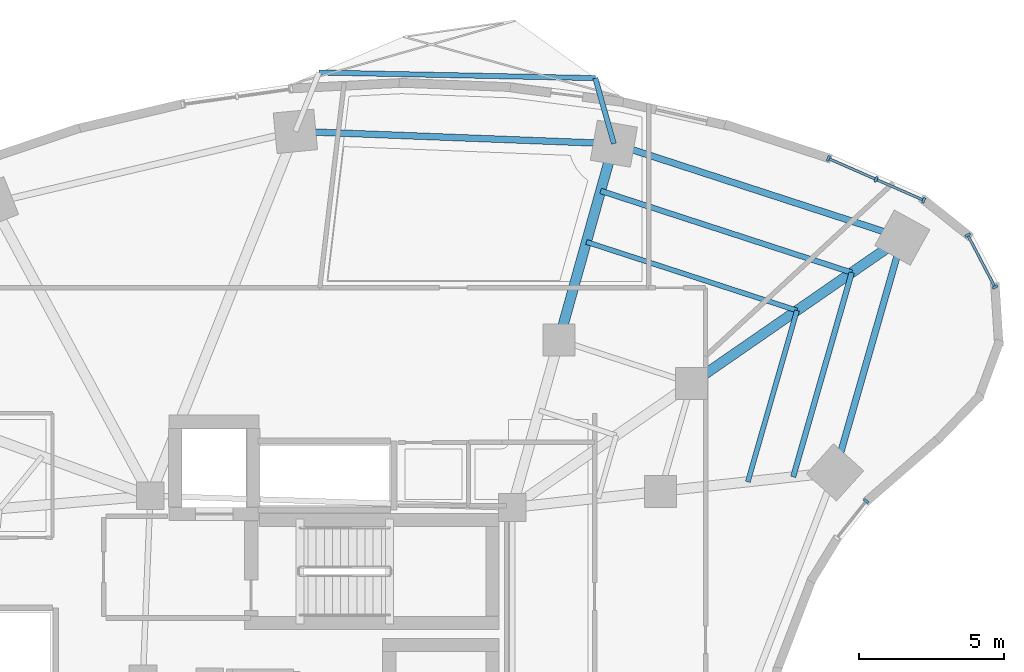
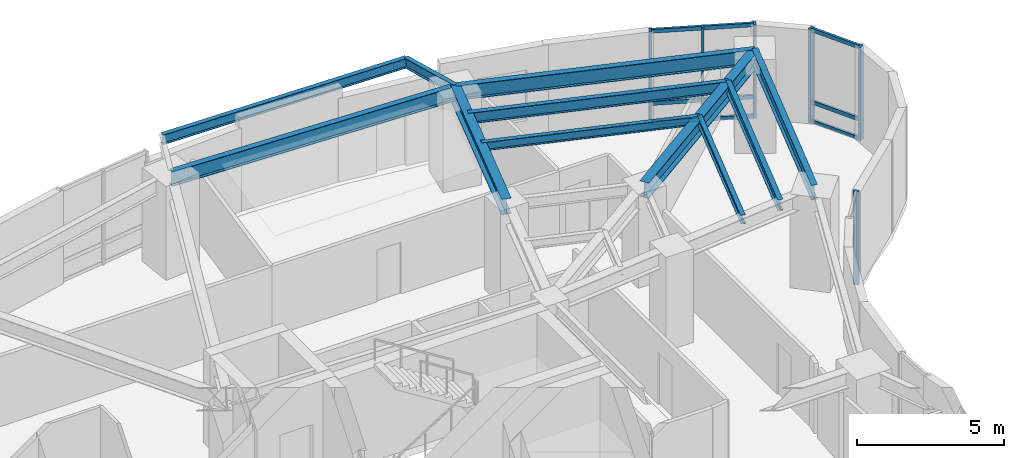
# One storey, part 6 of 15: 15 members, 11 beams, 3 elements without a shape of their own.
"""IFC4 building model written with IfcOpenShell, lengths in metres."""

from ifc_helpers import new_model, si_unit, direction, frame, origin, origin_2d, place, context, subcontext, project, spatial, rectangle, i_section, extrude, material, layer, layer_set, material_profile, profile_set, type_object, element, aggregate, save


model = new_model("IFC4")

# Units and contexts
model_context = context("Model", 3, precision=1e-05, world=origin(), true_north=direction((0.0, 1.0)))
body_context = subcontext(model_context, "Body", "Model", "MODEL_VIEW")
ifc_project = project(units=[si_unit("LENGTHUNIT", "METRE"), si_unit("AREAUNIT", "SQUARE_METRE"), si_unit("VOLUMEUNIT", "CUBIC_METRE"), si_unit("PLANEANGLEUNIT", "RADIAN"), si_unit("MASSUNIT", "GRAM", prefix="KILO")], contexts=[model_context])

# Site, building, storey
site_placement = place(None, origin())
site = spatial("IfcSite", under=ifc_project, at=site_placement, CompositionType="ELEMENT")
building_placement = place(site_placement, origin())
building = spatial("IfcBuilding", under=site, at=building_placement, Name="Korentha Bioscience Tower", CompositionType="ELEMENT")
storey_placement = place(building_placement, frame((0.0, 0.0, 76.199951171875)))
storey = spatial("IfcBuildingStorey", under=building, at=storey_placement, Name="L17", CompositionType="ELEMENT", Elevation=76.199951171875)

# Curtain wall, members
ifc_material_1 = material(Name="Thermally Broken Aluminium Frame", Category="aluminium")
ifc_layer = layer(ifc_material_1, 0.219970703125, Name="Thermally Broken Aluminium Frame")
ifc_layer_set = layer_set([ifc_layer], Name="Thermally Broken Aluminium Frame (CW-T1)")
curtain_wall_type = type_object("IfcCurtainWallType", Name="Standard Bioscience Lab Unitised Curtain Wall CW-T1", PredefinedType="USERDEFINED", material=ifc_layer_set)
curtain_wall_1_placement = place(storey_placement, origin())
curtain_wall_1 = element("IfcCurtainWall", 1, at=curtain_wall_1_placement, inside=storey, type_object=curtain_wall_type, Name="L17 Curtain Wall 01", ObjectType="UNITISED", PredefinedType="USERDEFINED")
ifc_material_2 = material(Name="Anodised Aluminium 6063-T6", Category="aluminium")
ifc_material_profile_1 = material_profile(ifc_material_2, rectangle(XDim=0.090087890625, YDim=0.199951171875, at=origin_2d()), Name="Anodised Aluminium 6063-T6")
ifc_profile_set_1 = profile_set([ifc_material_profile_1], Name="Anodised Aluminium 6063-T6 (CW-MUL)")
member_type_1 = type_object("IfcMemberType", Name="Mullion RECT 90x200", PredefinedType="MULLION", material=ifc_profile_set_1)
member_1_placement = place(storey_placement, frame((51.71337890625, 46.420654296875, 0.0), z_axis=(0.0, 0.0, 1.0), x_axis=(-0.91593909057, 0.401317308828, 0.0)))
member_1 = element("IfcMember", 2, at=member_1_placement, type_object=member_type_1, Name="CW-L17-01 Mullion 1", PredefinedType="MULLION", context=body_context, shape_type="SweptSolid", body=[
    extrude(rectangle(XDim=0.090087890625, YDim=0.199951171875, at=origin_2d()), origin(), (0.0, 0.0, 1.0), 3.900146484375),
])
member_2_placement = place(storey_placement, frame((50.072998046875, 47.139404296875, 0.0), z_axis=(0.0, 0.0, 1.0), x_axis=(-0.91593909057, 0.401317308828, 0.0)))
member_2 = element("IfcMember", 3, at=member_2_placement, type_object=member_type_1, Name="CW-L17-01 Mullion 2", PredefinedType="MULLION", context=body_context, shape_type="SweptSolid", body=[
    extrude(rectangle(XDim=0.090087890625, YDim=0.199951171875, at=origin_2d()), origin(), (0.0, 0.0, 1.0), 3.900146484375),
])
member_3_placement = place(storey_placement, frame((48.43212890625, 47.8583984375, 0.0), z_axis=(0.0, 0.0, 1.0), x_axis=(-0.91593909057, 0.401317308828, 0.0)))
member_3 = element("IfcMember", 4, at=member_3_placement, type_object=member_type_1, Name="CW-L17-01 Mullion 3", PredefinedType="MULLION", context=body_context, shape_type="SweptSolid", body=[
    extrude(rectangle(XDim=0.090087890625, YDim=0.199951171875, at=origin_2d()), origin(), (0.0, 0.0, 1.0), 3.900146484375),
])

# Curtain wall, member
curtain_wall_2_placement = place(storey_placement, origin())
curtain_wall_2 = element("IfcCurtainWall", 5, at=curtain_wall_2_placement, inside=storey, type_object=curtain_wall_type, Name="L17 Curtain Wall 55", ObjectType="UNITISED", PredefinedType="USERDEFINED")
member_4_placement = place(storey_placement, frame((49.73291015625, 36.072021484375, 0.0), z_axis=(0.0, 0.0, 1.0), x_axis=(0.622520324648, 0.782603632371, 0.0)))
member_4 = element("IfcMember", 6, at=member_4_placement, type_object=member_type_1, Name="CW-L17-55 Mullion 2", PredefinedType="MULLION", context=body_context, shape_type="SweptSolid", body=[
    extrude(rectangle(XDim=0.090087890625, YDim=0.199951171875, at=origin_2d()), origin(), (0.0, 0.0, 1.0), 3.900146484375),
])
aggregate(curtain_wall_2, [member_4])

# Curtain wall, members
curtain_wall_3_placement = place(storey_placement, origin())
curtain_wall_3 = element("IfcCurtainWall", 7, at=curtain_wall_3_placement, inside=storey, type_object=curtain_wall_type, Name="L17 Curtain Wall 61", ObjectType="UNITISED", PredefinedType="USERDEFINED")
member_5_placement = place(storey_placement, frame((54.163330078125, 43.435302734375, 0.0), z_axis=(0.0, 0.0, 1.0), x_axis=(-0.463008597697, 0.886353788539, 0.0)))
member_5 = element("IfcMember", 8, at=member_5_placement, type_object=member_type_1, Name="CW-L17-61 Mullion 1", PredefinedType="MULLION", context=body_context, shape_type="SweptSolid", body=[
    extrude(rectangle(XDim=0.090087890625, YDim=0.199951171875, at=origin_2d()), origin(), (0.0, 0.0, 1.0), 3.900146484375),
])
member_6_placement = place(storey_placement, frame((53.22900390625, 45.2236328125, 0.0), z_axis=(0.0, 0.0, 1.0), x_axis=(-0.463008597697, 0.886353788539, 0.0)))
member_6 = element("IfcMember", 9, at=member_6_placement, type_object=member_type_1, Name="CW-L17-61 Mullion 2", PredefinedType="MULLION", context=body_context, shape_type="SweptSolid", body=[
    extrude(rectangle(XDim=0.090087890625, YDim=0.199951171875, at=origin_2d()), origin(), (0.0, 0.0, 1.0), 3.900146484375),
])

# Beams
ifc_material_3 = material(Name="Steel S355", Category="steel")
ifc_material_profile_2 = material_profile(ifc_material_3, i_section(OverallWidth=0.22802734375, OverallDepth=0.60791015625, WebThickness=0.01123046875, FlangeThickness=0.017333984375, at=origin_2d()), Name="Steel S355")
ifc_profile_set_2 = profile_set([ifc_material_profile_2], Name="Steel S355 (SB-610)")
beam_type_1 = type_object("IfcBeamType", Name="Perimeter Ring Spandrel Girder W610x113", PredefinedType="SPANDREL", material=ifc_profile_set_2)
beam_1_placement = place(storey_placement, frame((50.977294921875, 45.135498046875, 3.595947265625), z_axis=(-0.95087511444, 0.309574735305, 0.0), x_axis=(-0.309574735305, -0.95087511444, 0.0)))
element("IfcBeam", 10, at=beam_1_placement, inside=storey, type_object=beam_type_1, Name="L17 Perimeter Spandrel Girder 01", PredefinedType="SPANDREL", context=body_context, shape_type="SweptSolid", body=[
    extrude(i_section(OverallWidth=0.22802734375, OverallDepth=0.60791015625, WebThickness=0.01123046875, FlangeThickness=0.017333984375, at=origin_2d()), origin(), (0.0, 0.0, 1.0), 10.4375),
])
beam_2_placement = place(storey_placement, frame((41.052490234375, 48.36669921875, 3.595947265625), z_axis=(-0.999246003889, 0.03882555488, 0.0), x_axis=(-0.03882555488, -0.999246003889, 0.0)))
element("IfcBeam", 11, at=beam_2_placement, inside=storey, type_object=beam_type_1, Name="L17 Perimeter Spandrel Girder 02", PredefinedType="SPANDREL", context=body_context, shape_type="SweptSolid", body=[
    extrude(i_section(OverallWidth=0.22802734375, OverallDepth=0.60791015625, WebThickness=0.01123046875, FlangeThickness=0.017333984375, at=origin_2d()), origin(), (0.0, 0.0, 1.0), 10.966552734375),
])
beam_3_placement = place(storey_placement, frame((48.661865234375, 37.060791015625, 3.595947265625), z_axis=(0.275642273411, 0.961260285827, 0.0), x_axis=(-0.961260285827, 0.275642273411, 0.0)))
element("IfcBeam", 12, at=beam_3_placement, inside=storey, type_object=beam_type_1, Name="L17 Perimeter Spandrel Girder 16", PredefinedType="SPANDREL", context=body_context, shape_type="SweptSolid", body=[
    extrude(i_section(OverallWidth=0.22802734375, OverallDepth=0.60791015625, WebThickness=0.01123046875, FlangeThickness=0.017333984375, at=origin_2d()), origin(), (0.0, 0.0, 1.0), 8.400146484375),
])
ifc_material_profile_3 = material_profile(ifc_material_3, i_section(OverallWidth=0.18994140625, OverallDepth=0.45703125, WebThickness=0.009033203125, FlangeThickness=0.014404296875, at=origin_2d()), Name="Steel S355")
ifc_profile_set_3 = profile_set([ifc_material_profile_3], Name="Steel S355 (RB-460)")
beam_type_2 = type_object("IfcBeamType", Name="Radial Laboratory Beam W460x74", PredefinedType="BEAM", material=ifc_profile_set_3)
beam_4_placement = place(storey_placement, frame((49.2373046875, 43.931884765625, 3.671630859375), z_axis=(-0.95087437499, 0.309577006554, 0.0), x_axis=(-0.309577006554, -0.95087437499, 0.0)))
element("IfcBeam", 13, at=beam_4_placement, inside=storey, type_object=beam_type_2, Name="L17 Secondary Floor Beam JSTO-01", PredefinedType="BEAM", context=body_context, shape_type="SweptSolid", body=[
    extrude(i_section(OverallWidth=0.18994140625, OverallDepth=0.45703125, WebThickness=0.009033203125, FlangeThickness=0.014404296875, at=origin_2d()), origin(), (0.0, 0.0, 1.0), 9.0849609375),
])
beam_5_placement = place(storey_placement, frame((47.2216796875, 36.90380859375, 3.671630859375), z_axis=(0.275682421415, 0.961248772443, 0.0), x_axis=(-0.961248772443, 0.275682421415, 0.0)))
element("IfcBeam", 14, at=beam_5_placement, inside=storey, type_object=beam_type_2, Name="L17 Secondary Floor Beam JSTO-16", PredefinedType="BEAM", context=body_context, shape_type="SweptSolid", body=[
    extrude(i_section(OverallWidth=0.18994140625, OverallDepth=0.45703125, WebThickness=0.009033203125, FlangeThickness=0.014404296875, at=origin_2d()), origin(), (0.0, 0.0, 1.0), 7.3115234375),
])
ifc_material_profile_4 = material_profile(ifc_material_3, i_section(OverallWidth=0.35009765625, OverallDepth=0.64990234375, WebThickness=0.01611328125, FlangeThickness=0.02490234375, at=origin_2d()), Name="Steel S355")
ifc_profile_set_4 = profile_set([ifc_material_profile_4], Name="Steel S355 (RB-650)")
beam_type_3 = type_object("IfcBeamType", Name="Radial Laboratory Girder CVS 650x208", PredefinedType="BEAM", material=ifc_profile_set_4)
beam_6_placement = place(storey_placement, frame((43.7265625, 40.121337890625, 3.574951171875), z_axis=(0.822488186113, 0.568782193555, 0.0), x_axis=(-0.568782193555, 0.822488186113, 0.0)))
element("IfcBeam", 15, at=beam_6_placement, inside=storey, type_object=beam_type_3, Name="L17 Outer Radial Girder 01", PredefinedType="BEAM", context=body_context, shape_type="SweptSolid", body=[
    extrude(i_section(OverallWidth=0.35009765625, OverallDepth=0.64990234375, WebThickness=0.01611328125, FlangeThickness=0.02490234375, at=origin_2d()), origin(), (0.0, 0.0, 1.0), 8.815673828125),
])
beam_7_placement = place(storey_placement, frame((39.1611328125, 41.607666015625, 3.574951171875), z_axis=(0.269475095129, 0.963007358801, 0.0), x_axis=(-0.963007358801, 0.269475095129, 0.0)))
element("IfcBeam", 16, at=beam_7_placement, inside=storey, type_object=beam_type_3, Name="L17 Outer Radial Girder 02", PredefinedType="BEAM", context=body_context, shape_type="SweptSolid", body=[
    extrude(i_section(OverallWidth=0.35009765625, OverallDepth=0.64990234375, WebThickness=0.01611328125, FlangeThickness=0.02490234375, at=origin_2d()), origin(), (0.0, 0.0, 1.0), 7.0185546875),
])
ifc_material_profile_5 = material_profile(ifc_material_3, i_section(OverallWidth=0.1708984375, OverallDepth=0.35498046875, WebThickness=0.007080078125, FlangeThickness=0.01171875, at=origin_2d()), Name="Steel S355")
ifc_profile_set_5 = profile_set([ifc_material_profile_5], Name="Steel S355 (JB-360)")
beam_type_4 = type_object("IfcBeamType", Name="Secondary Laboratory Joist W360x51", PredefinedType="JOIST", material=ifc_profile_set_5)
beam_8_placement = place(storey_placement, frame((47.35205078125, 42.62841796875, 3.72265625), z_axis=(-0.950870992772, 0.309587394938, 0.0), x_axis=(-0.309587394938, -0.950870992772, 0.0)))
element("IfcBeam", 17, at=beam_8_placement, inside=storey, type_object=beam_type_4, Name="L17 Secondary Floor Beam JST-01", PredefinedType="JOIST", context=body_context, shape_type="SweptSolid", body=[
    extrude(i_section(OverallWidth=0.1708984375, OverallDepth=0.35498046875, WebThickness=0.007080078125, FlangeThickness=0.01171875, at=origin_2d()), origin(), (0.0, 0.0, 1.0), 7.619384765625),
])
beam_9_placement = place(storey_placement, frame((45.66162109375, 36.73388671875, 3.72265625), z_axis=(0.275667500387, 0.96125305161, 0.0), x_axis=(-0.96125305161, 0.275667500387, 0.0)))
element("IfcBeam", 18, at=beam_9_placement, inside=storey, type_object=beam_type_4, Name="L17 Secondary Floor Beam JST-16", PredefinedType="JOIST", context=body_context, shape_type="SweptSolid", body=[
    extrude(i_section(OverallWidth=0.1708984375, OverallDepth=0.35498046875, WebThickness=0.007080078125, FlangeThickness=0.01171875, at=origin_2d()), origin(), (0.0, 0.0, 1.0), 6.132080078125),
])
ifc_material_profile_6 = material_profile(ifc_material_3, i_section(OverallWidth=0.177978515625, OverallDepth=0.406982421875, WebThickness=0.0078125, FlangeThickness=0.0126953125, at=origin_2d()), Name="Steel S355")
ifc_profile_set_6 = profile_set([ifc_material_profile_6], Name="Steel S355 (CB-410)")
beam_type_5 = type_object("IfcBeamType", Name="Sun-Ledge Cantilever Beam W410x60", PredefinedType="BEAM", material=ifc_profile_set_6)
beam_10_placement = place(storey_placement, frame((41.052490234375, 48.36669921875, 3.698486328125), z_axis=(-0.272575265029, 0.962134463001, 0.0), x_axis=(-0.962134463001, -0.272575265029, 0.0)))
element("IfcBeam", 19, at=beam_10_placement, inside=storey, type_object=beam_type_5, Name="L17 Balcony Cantilever Bracket A-L18-01", PredefinedType="BEAM", context=body_context, shape_type="SweptSolid", body=[
    extrude(i_section(OverallWidth=0.177978515625, OverallDepth=0.406982421875, WebThickness=0.0078125, FlangeThickness=0.0126953125, at=origin_2d()), origin(), (0.0, 0.0, 1.0), 2.344970703125),
])
beam_11_placement = place(storey_placement, frame((40.413330078125, 50.622802734375, 3.698486328125), z_axis=(-0.999790533568, 0.020466777676, 0.0), x_axis=(-0.020466777676, -0.999790533568, 0.0)))
element("IfcBeam", 20, at=beam_11_placement, inside=storey, type_object=beam_type_5, Name="L17 Balcony Edge Trimmer Beam L18-01", PredefinedType="BEAM", context=body_context, shape_type="SweptSolid", body=[
    extrude(i_section(OverallWidth=0.177978515625, OverallDepth=0.406982421875, WebThickness=0.0078125, FlangeThickness=0.0126953125, at=origin_2d()), origin(), (0.0, 0.0, 1.0), 9.507080078125),
])

# Member
ifc_material_profile_7 = material_profile(ifc_material_2, rectangle(XDim=0.090087890625, YDim=0.159912109375, at=origin_2d()), Name="Anodised Aluminium 6063-T6")
ifc_profile_set_7 = profile_set([ifc_material_profile_7], Name="Anodised Aluminium 6063-T6 (CW-TRN)")
member_type_2 = type_object("IfcMemberType", Name="Transom RECT 90x160", PredefinedType="USERDEFINED", material=ifc_profile_set_7)
member_7_placement = place(storey_placement, frame((51.67236328125, 46.438720703125, 0.045166015625), z_axis=(-0.915976098914, 0.401232832926, 0.0), x_axis=(-0.401232832926, -0.915976098914, 0.0)))
member_7 = element("IfcMember", 21, at=member_7_placement, type_object=member_type_2, Name="CW-L17-01 Bay 1 Transom 1", ObjectType="TRANSOM", PredefinedType="USERDEFINED", context=body_context, shape_type="SweptSolid", body=[
    extrude(rectangle(XDim=0.090087890625, YDim=0.159912109375, at=origin_2d()), origin(), (0.0, 0.0, 1.0), 1.701416015625),
])

member_8_placement = place(storey_placement, frame((51.67236328125, 46.438720703125, 0.85009765625), z_axis=(-0.915976098914, 0.401232832926, 0.0), x_axis=(-0.401232832926, -0.915976098914, 0.0)))
member_8 = element("IfcMember", 22, at=member_8_placement, type_object=member_type_2, Name="CW-L17-01 Bay 1 Transom 2", ObjectType="TRANSOM", PredefinedType="USERDEFINED", context=body_context, shape_type="SweptSolid", body=[
    extrude(rectangle(XDim=0.090087890625, YDim=0.159912109375, at=origin_2d()), origin(), (0.0, 0.0, 1.0), 1.701416015625),
])

member_9_placement = place(storey_placement, frame((51.67236328125, 46.438720703125, 3.85498046875), z_axis=(-0.915976098914, 0.401232832926, 0.0), x_axis=(-0.401232832926, -0.915976098914, 0.0)))
member_9 = element("IfcMember", 23, at=member_9_placement, type_object=member_type_2, Name="CW-L17-01 Bay 1 Transom 3", ObjectType="TRANSOM", PredefinedType="USERDEFINED", context=body_context, shape_type="SweptSolid", body=[
    extrude(rectangle(XDim=0.090087890625, YDim=0.159912109375, at=origin_2d()), origin(), (0.0, 0.0, 1.0), 1.701416015625),
])

member_10_placement = place(storey_placement, frame((50.031494140625, 47.15771484375, 0.045166015625), z_axis=(-0.915952992218, 0.401285579167, 0.0), x_axis=(-0.401285579167, -0.915952992218, 0.0)))
member_10 = element("IfcMember", 24, at=member_10_placement, type_object=member_type_2, Name="CW-L17-01 Bay 2 Transom 1", ObjectType="TRANSOM", PredefinedType="USERDEFINED", context=body_context, shape_type="SweptSolid", body=[
    extrude(rectangle(XDim=0.090087890625, YDim=0.159912109375, at=origin_2d()), origin(), (0.0, 0.0, 1.0), 1.701171875),
])

member_11_placement = place(storey_placement, frame((50.031494140625, 47.15771484375, 0.85009765625), z_axis=(-0.915952992218, 0.401285579167, 0.0), x_axis=(-0.401285579167, -0.915952992218, 0.0)))
member_11 = element("IfcMember", 25, at=member_11_placement, type_object=member_type_2, Name="CW-L17-01 Bay 2 Transom 2", ObjectType="TRANSOM", PredefinedType="USERDEFINED", context=body_context, shape_type="SweptSolid", body=[
    extrude(rectangle(XDim=0.090087890625, YDim=0.159912109375, at=origin_2d()), origin(), (0.0, 0.0, 1.0), 1.701171875),
])

member_12_placement = place(storey_placement, frame((50.031494140625, 47.15771484375, 3.85498046875), z_axis=(-0.915952992218, 0.401285579167, 0.0), x_axis=(-0.401285579167, -0.915952992218, 0.0)))
member_12 = element("IfcMember", 26, at=member_12_placement, type_object=member_type_2, Name="CW-L17-01 Bay 2 Transom 3", ObjectType="TRANSOM", PredefinedType="USERDEFINED", context=body_context, shape_type="SweptSolid", body=[
    extrude(rectangle(XDim=0.090087890625, YDim=0.159912109375, at=origin_2d()), origin(), (0.0, 0.0, 1.0), 1.701171875),
])

aggregate(curtain_wall_1, [member_1, member_2, member_3, member_7, member_8, member_9, member_10, member_11, member_12])

member_13_placement = place(storey_placement, frame((54.142333984375, 43.47509765625, 0.045166015625), z_axis=(-0.462899248902, 0.886410900974, 0.0), x_axis=(-0.886410900974, -0.462899248902, 0.0)))
member_13 = element("IfcMember", 27, at=member_13_placement, type_object=member_type_2, Name="CW-L17-61 Bay 1 Transom 1", ObjectType="TRANSOM", PredefinedType="USERDEFINED", context=body_context, shape_type="SweptSolid", body=[
    extrude(rectangle(XDim=0.090087890625, YDim=0.159912109375, at=origin_2d()), origin(), (0.0, 0.0, 1.0), 1.927734375),
])

member_14_placement = place(storey_placement, frame((54.142333984375, 43.47509765625, 0.85009765625), z_axis=(-0.462899248902, 0.886410900974, 0.0), x_axis=(-0.886410900974, -0.462899248902, 0.0)))
member_14 = element("IfcMember", 28, at=member_14_placement, type_object=member_type_2, Name="CW-L17-61 Bay 1 Transom 2", ObjectType="TRANSOM", PredefinedType="USERDEFINED", context=body_context, shape_type="SweptSolid", body=[
    extrude(rectangle(XDim=0.090087890625, YDim=0.159912109375, at=origin_2d()), origin(), (0.0, 0.0, 1.0), 1.927734375),
])

member_15_placement = place(storey_placement, frame((54.142333984375, 43.47509765625, 3.85498046875), z_axis=(-0.462899248902, 0.886410900974, 0.0), x_axis=(-0.886410900974, -0.462899248902, 0.0)))
member_15 = element("IfcMember", 29, at=member_15_placement, type_object=member_type_2, Name="CW-L17-61 Bay 1 Transom 3", ObjectType="TRANSOM", PredefinedType="USERDEFINED", context=body_context, shape_type="SweptSolid", body=[
    extrude(rectangle(XDim=0.090087890625, YDim=0.159912109375, at=origin_2d()), origin(), (0.0, 0.0, 1.0), 1.927734375),
])

aggregate(curtain_wall_3, [member_5, member_6, member_13, member_14, member_15])

save(model, "model.ifc")
